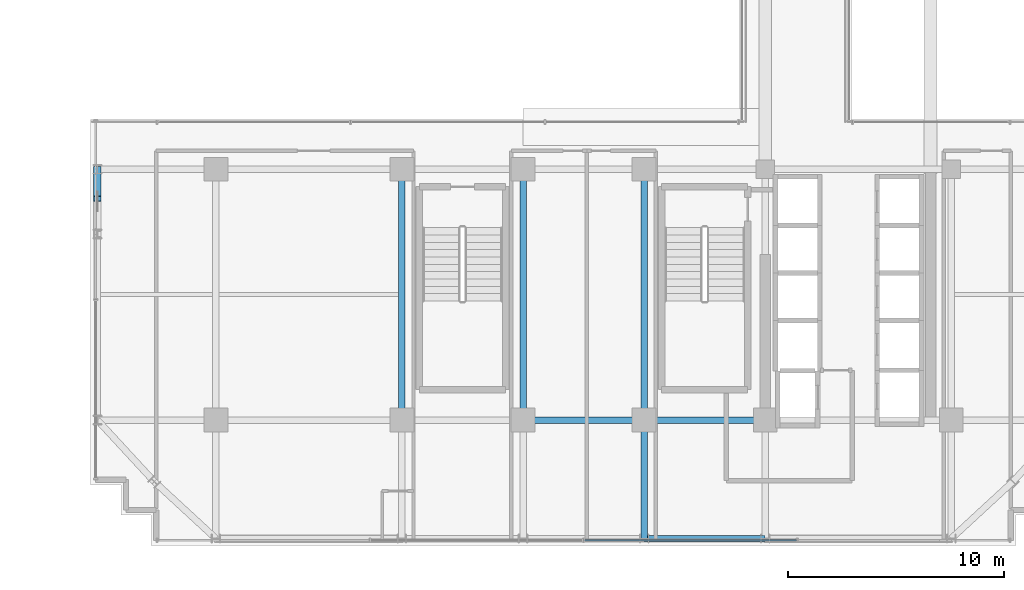
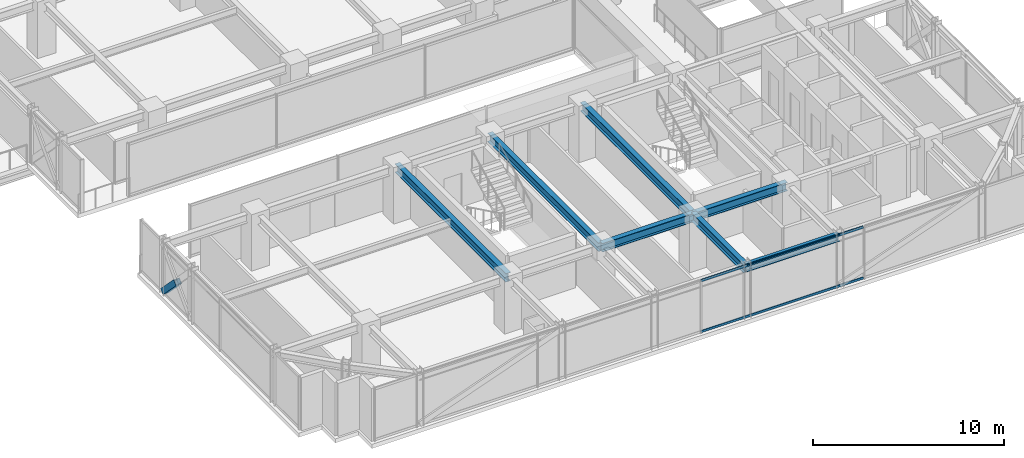
# One storey, part 7 of 37: 7 beams, 3 members, 1 element without a shape of its own.
"""IFC4 building model written with IfcOpenShell, lengths in metres."""

from ifc_helpers import new_model, si_unit, direction, frame, origin, origin_2d, place, context, subcontext, project, spatial, hollow_rectangle, i_section, extrude, source, transform, mapped, material, material_profile, profile_set, type_object, element, aggregate, save


model = new_model("IFC4")

# Units and contexts
model_context = context("Model", 3, precision=1e-05, world=origin(), true_north=direction((0.0, 1.0)))
body_context = subcontext(model_context, "Body", "Model", "MODEL_VIEW")
ifc_project = project(units=[si_unit("LENGTHUNIT", "METRE"), si_unit("AREAUNIT", "SQUARE_METRE"), si_unit("VOLUMEUNIT", "CUBIC_METRE"), si_unit("PLANEANGLEUNIT", "RADIAN"), si_unit("MASSUNIT", "GRAM", prefix="KILO")], contexts=[model_context])

# Site, building, storey
site_placement = place(None, origin())
site = spatial("IfcSite", under=ifc_project, at=site_placement, CompositionType="ELEMENT")
building_placement = place(site_placement, origin())
building = spatial("IfcBuilding", under=site, at=building_placement, Name="Nahalor Promenade Grand Hotel", CompositionType="ELEMENT")
storey_placement = place(building_placement, frame((0.0, 0.0, 167.25)))
storey = spatial("IfcBuildingStorey", under=building, at=storey_placement, Name="L42", CompositionType="ELEMENT", Elevation=167.25)

# Beams
ifc_material_1 = material(Name="Steel S355JR", Category="steel")
ifc_material_profile_1 = material_profile(ifc_material_1, i_section(OverallWidth=0.3, OverallDepth=0.55, WebThickness=0.015, FlangeThickness=0.029, at=origin_2d()), Name="HEB 550")
ifc_profile_set_1 = profile_set([ifc_material_profile_1], Name="Steel S355JR")
beam_type_1 = type_object("IfcBeamType", Name="Beam-Girder-HEB550", PredefinedType="BEAM", material=ifc_profile_set_1)
shared_shape_1 = source(origin(), body_context, "Body", "SweptSolid", [
    extrude(i_section(OverallWidth=0.3, OverallDepth=0.55, WebThickness=0.015, FlangeThickness=0.029, at=origin_2d()), origin(), (0.0, 0.0, 1.0), 5.599853515625),
])
beam_1_placement = place(storey_placement, frame((2.800048828125, -17.0, 3.114990234375), z_axis=(1.0, 0.0, 0.0), x_axis=(0.0, 1.0, 0.0)))
element("IfcBeam", 1, at=beam_1_placement, inside=storey, type_object=beam_type_1, Name="BM-L42-GX-0-4", PredefinedType="BEAM", context=body_context, shape_type="MappedRepresentation", body=[
    mapped(shared_shape_1, transform((0.0, 0.0, 0.0), scale=1.0)),
])
shared_shape_2 = source(origin(), body_context, "Body", "SweptSolid", [
    extrude(i_section(OverallWidth=0.3, OverallDepth=0.55, WebThickness=0.015, FlangeThickness=0.029, at=origin_2d()), origin(), (0.0, 0.0, 1.0), 5.60009765625),
])
beam_2_placement = place(storey_placement, frame((-2.800048828125, -17.0, 3.114990234375), z_axis=(1.0, 0.0, 0.0), x_axis=(0.0, 1.0, 0.0)))
element("IfcBeam", 2, at=beam_2_placement, inside=storey, type_object=beam_type_1, Name="BM-L42-GX-0-3", PredefinedType="BEAM", context=body_context, shape_type="MappedRepresentation", body=[
    mapped(shared_shape_2, transform((0.0, 0.0, 0.0), scale=1.0)),
])
shared_shape_3 = source(origin(), body_context, "Body", "SweptSolid", [
    extrude(i_section(OverallWidth=0.3, OverallDepth=0.55, WebThickness=0.015, FlangeThickness=0.029, at=origin_2d()), origin(), (0.0, 0.0, 1.0), 11.60009765625),
])
for number, where, z_axis, x_axis, name in (
    (3, (-8.39990234375, -17.0, 3.114990234375), (0.0, 1.0, 0.0), (-1.0, 0.0, 0.0), "BM-L42-GY-1-1"),
    (4, (-2.800048828125, -17.0, 3.114990234375), (0.0, 1.0, 0.0), (-1.0, 0.0, 0.0), "BM-L42-GY-2-1"),
    (5, (2.800048828125, -17.0, 3.114990234375), (0.0, 1.0, 0.0), (-1.0, 0.0, 0.0), "BM-L42-GY-3-1"),
):
    element("IfcBeam", number, at=place(storey_placement, frame(where, z_axis=z_axis, x_axis=x_axis)), inside=storey, type_object=beam_type_1, Name=name, PredefinedType="BEAM", context=body_context, shape_type="MappedRepresentation", body=[
        mapped(shared_shape_3, transform((0.0, 0.0, 0.0), scale=1.0)),
    ])
shared_shape_4 = source(origin(), body_context, "Body", "SweptSolid", [
    extrude(i_section(OverallWidth=0.3, OverallDepth=0.55, WebThickness=0.015, FlangeThickness=0.029, at=origin_2d()), origin(), (0.0, 0.0, 1.0), 5.47998046875),
])
beam_3_placement = place(storey_placement, frame((2.800048828125, -22.47998046875, 3.114990234375), z_axis=(0.0, 1.0, 0.0), x_axis=(-1.0, 0.0, 0.0)))
element("IfcBeam", 6, at=beam_3_placement, inside=storey, type_object=beam_type_1, Name="BM-L42-GY-3-0", PredefinedType="BEAM", context=body_context, shape_type="MappedRepresentation", body=[
    mapped(shared_shape_4, transform((0.0, 0.0, 0.0), scale=1.0)),
])
ifc_material_profile_2 = material_profile(ifc_material_1, i_section(OverallWidth=0.3, OverallDepth=0.45, WebThickness=0.014, FlangeThickness=0.026, at=origin_2d()), Name="HEB 450")
ifc_profile_set_2 = profile_set([ifc_material_profile_2], Name="Steel S355JR")
beam_type_2 = type_object("IfcBeamType", Name="Beam-Spandrel-HEB450", PredefinedType="SPANDREL", material=ifc_profile_set_2)
shared_shape_5 = source(origin(), body_context, "Body", "SweptSolid", [
    extrude(i_section(OverallWidth=0.3, OverallDepth=0.45, WebThickness=0.014, FlangeThickness=0.026, at=origin_2d()), origin(), (0.0, 0.0, 1.0), 5.599853515625),
])
beam_4_placement = place(storey_placement, frame((2.800048828125, -22.47998046875, 3.1650390625), z_axis=(1.0, 0.0, 0.0), x_axis=(0.0, 1.0, 0.0)))
element("IfcBeam", 7, at=beam_4_placement, inside=storey, type_object=beam_type_2, Name="BM-L42-SP-S-3", PredefinedType="SPANDREL", context=body_context, shape_type="MappedRepresentation", body=[
    mapped(shared_shape_5, transform((0.0, 0.0, 0.0), scale=1.0)),
])

# Member
ifc_material_profile_3 = material_profile(ifc_material_1, hollow_rectangle(XDim=0.35, YDim=0.35, WallThickness=0.02, at=origin_2d()), Name="SHS 350x350x20")
ifc_profile_set_3 = profile_set([ifc_material_profile_3], Name="Steel S355JR")
member_type_1 = type_object("IfcMemberType", Name="Mem-VoidBrace-SHS350", PredefinedType="BRACE", material=ifc_profile_set_3)
shared_shape_6 = source(origin(), body_context, "Body", "SweptSolid", [
    extrude(hollow_rectangle(XDim=0.35, YDim=0.35, WallThickness=0.02, at=origin_2d()), origin(), (0.0, 0.0, 1.0), 1.966552734375),
])
member_1_placement = place(storey_placement, frame((-22.47998046875, -5.39990234375, 0.14990234375), z_axis=(0.0, -0.696601340579, 0.71745841155), x_axis=(1.0, 0.0, 0.0)))
element("IfcMember", 8, at=member_1_placement, inside=storey, type_object=member_type_1, Name="EXO-L42-VX2-W0A", PredefinedType="BRACE", context=body_context, shape_type="MappedRepresentation", body=[
    mapped(shared_shape_6, transform((0.0, 0.0, 0.0), scale=1.0)),
])

# Curtain wall, members
ifc_material_2 = material(Name="Anodised Bronze Aluminium EN AW-6063 T6", Category="aluminium")
curtain_wall_type = type_object("IfcCurtainWallType", Name="CW3 Elliptical-Void Collar Unitised Curtain Wall", PredefinedType="USERDEFINED", material=ifc_material_2)
curtain_wall_placement = place(storey_placement, origin())
curtain_wall = element("IfcCurtainWall", 9, at=curtain_wall_placement, inside=storey, type_object=curtain_wall_type, Name="L42 Curtain Wall CW-L42-S-1", ObjectType="UNITISED_CURTAIN_WALL", PredefinedType="USERDEFINED")
ifc_material_profile_4 = material_profile(ifc_material_2, hollow_rectangle(XDim=0.07, YDim=0.14, WallThickness=0.004, at=origin_2d()), Name="CWT 70x140x4")
ifc_profile_set_4 = profile_set([ifc_material_profile_4], Name="Anodised Bronze Aluminium EN AW-6063 T6")
member_type_2 = type_object("IfcMemberType", Name="CWT3 Void Collar Transom 70x140", PredefinedType="USERDEFINED", material=ifc_profile_set_4)
shared_shape_7 = source(origin(), body_context, "Body", "SweptSolid", [
    extrude(hollow_rectangle(XDim=0.07, YDim=0.14, WallThickness=0.004, at=origin_2d()), origin(), (0.0, 0.0, 1.0), 9.81005859375),
])
member_2_placement = place(storey_placement, frame((0.034912109375, -22.56005859375, 0.070068359375), z_axis=(1.0, 0.0, 0.0), x_axis=(0.0, 1.0, 0.0)))
member_2 = element("IfcMember", 10, at=member_2_placement, type_object=member_type_2, Name="CW-L42-S-1 Transom 2-0", ObjectType="TRANSOM", PredefinedType="USERDEFINED", context=body_context, shape_type="MappedRepresentation", body=[
    mapped(shared_shape_7, transform((0.0, 0.0, 0.0), scale=1.0)),
])
member_3_placement = place(storey_placement, frame((0.034912109375, -22.56005859375, 3.320068359375), z_axis=(1.0, 0.0, 0.0), x_axis=(0.0, 1.0, 0.0)))
member_3 = element("IfcMember", 11, at=member_3_placement, type_object=member_type_2, Name="CW-L42-S-1 Transom 2-1", ObjectType="TRANSOM", PredefinedType="USERDEFINED", context=body_context, shape_type="MappedRepresentation", body=[
    mapped(shared_shape_7, transform((0.0, 0.0, 0.0), scale=1.0)),
])
aggregate(curtain_wall, [member_2, member_3])

save(model, "model.ifc")
